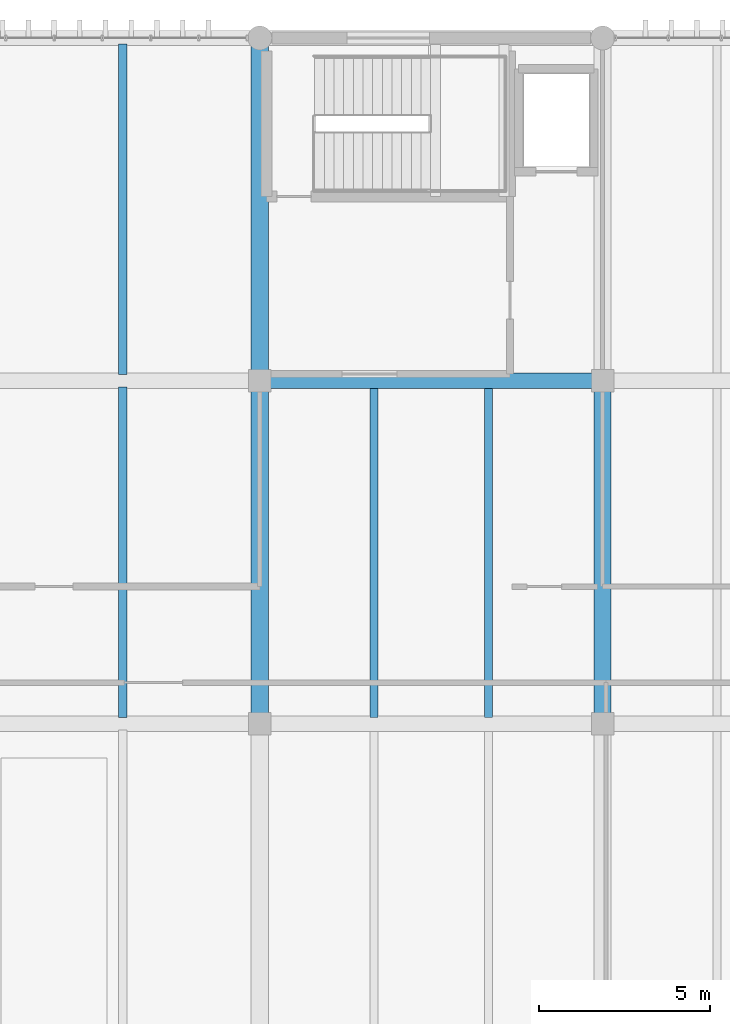
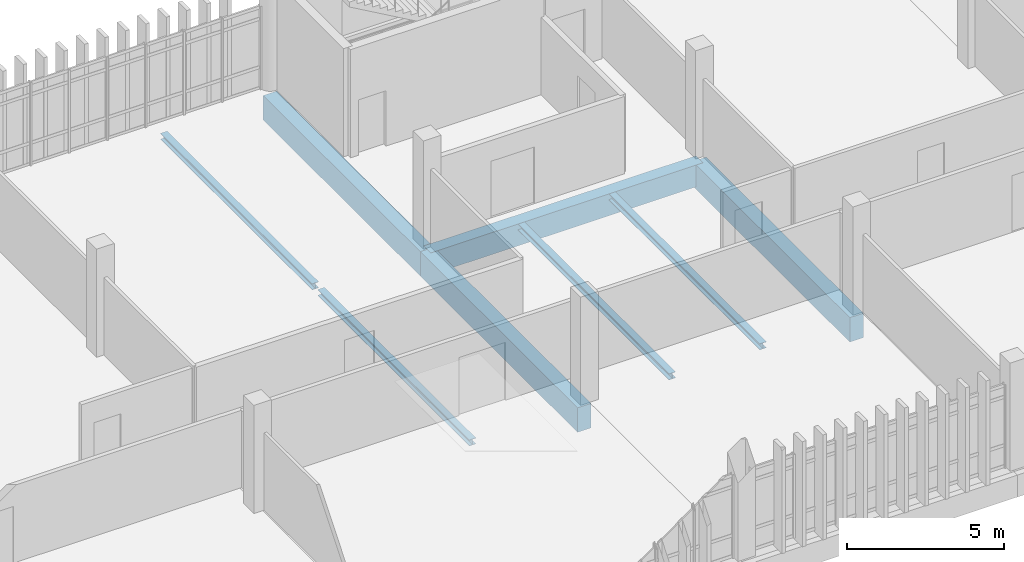
# One storey, part 34 of 82: 8 beams.
"""IFC4 building model written with IfcOpenShell, lengths in metres."""

import ifcopenshell
import ifcopenshell.guid

model = None  # the IFC model being written
_history = None  # IfcOwnerHistory: only IFC2X3 demands one
_inside = {}  # id of a spatial element -> (the spatial element, [elements in it])
_under = {}  # id of a project, library or spatial element -> (it, [spatial elements below it])
_declared = {}  # id of a project -> (the project, [libraries it declares])
_typed = {}  # id of a type object -> (the type object, [elements of that type])
_made_of = {}  # id of a material, layer set ... -> (it, [elements and type objects made of it])


def new_model(schema):
    """Start an empty IFC model of exactly this schema.

    Asked for "IFC4X3", IfcOpenShell would pick the latest addendum, in which some entities
    have other attributes; the version numbers below select the first issue.
    IFC2X3 requires an IfcOwnerHistory on every rooted entity: one is made here for all.
    """
    global model, _history
    if schema == "IFC4X3":
        model = ifcopenshell.file(schema_version=(4, 3, 0, 0))
    else:
        model = ifcopenshell.file(schema=schema)
    _inside.clear()
    _under.clear()
    _declared.clear()
    _typed.clear()
    _made_of.clear()
    _history = None
    if model.schema == "IFC2X3":
        org = make("IfcOrganization", Name="unknown")
        user = make(
            "IfcPersonAndOrganization",
            ThePerson=make("IfcPerson", FamilyName="unknown"),
            TheOrganization=org,
        )
        app = make(
            "IfcApplication",
            ApplicationDeveloper=org,
            Version="unknown",
            ApplicationFullName="unknown",
            ApplicationIdentifier="unknown",
        )
        _history = make(
            "IfcOwnerHistory",
            OwningUser=user,
            OwningApplication=app,
            ChangeAction="ADDED",
            CreationDate=0,
        )
    return model


def make(cls, **values):
    """One entity of the class cls with the attributes given. An attribute that is None is left unset."""
    return model.create_entity(
        cls, **{name: value for name, value in values.items() if value is not None}
    )


def rooted(cls, **values):
    """An entity with a GlobalId (a new one), such as an element, a storey or a relation."""
    return make(cls, GlobalId=ifcopenshell.guid.new(), OwnerHistory=_history, **values)


def si_unit(unit_type, name, prefix=None):
    """IfcSIUnit, for example si_unit("LENGTHUNIT", "METRE", prefix="MILLI")."""
    return make("IfcSIUnit", UnitType=unit_type, Prefix=prefix, Name=name)


def assignment(units):
    """IfcUnitAssignment: the units of a project."""
    return None if units is None else make("IfcUnitAssignment", Units=units)


def point(xyz):
    """IfcCartesianPoint."""
    return None if xyz is None else make("IfcCartesianPoint", Coordinates=xyz)


def direction(xyz):
    """IfcDirection."""
    return None if xyz is None else make("IfcDirection", DirectionRatios=xyz)


def frame(location, z_axis=None, x_axis=None):
    """IfcAxis2Placement3D, a coordinate frame: its origin and axes. An axis left out is left unset."""
    return make(
        "IfcAxis2Placement3D",
        Location=point(location),
        Axis=direction(z_axis),
        RefDirection=direction(x_axis),
    )


def frame_2d(location, x_axis=None):
    """IfcAxis2Placement2D, a coordinate frame in the plane: its origin and x axis."""
    return make(
        "IfcAxis2Placement2D", Location=point(location), RefDirection=direction(x_axis)
    )


def origin():
    """The frame at (0, 0, 0) with its axes left unset."""
    return frame((0.0, 0.0, 0.0))


def origin_2d():
    """The frame at (0, 0) in the plane with its x axis left unset."""
    return frame_2d((0.0, 0.0))


def place(relative_to, where):
    """IfcLocalPlacement: puts the frame where relative to a parent placement (None: the world)."""
    return make(
        "IfcLocalPlacement", PlacementRelTo=relative_to, RelativePlacement=where
    )


def context(
    kind, dimensions, precision=None, world=None, true_north=None, identifier=None
):
    """IfcGeometricRepresentationContext, for example the 3D "Model" context."""
    return make(
        "IfcGeometricRepresentationContext",
        ContextIdentifier=identifier,
        ContextType=kind,
        CoordinateSpaceDimension=dimensions,
        Precision=precision,
        WorldCoordinateSystem=world,
        TrueNorth=true_north,
    )


def subcontext(parent, identifier, kind, view, scale=None):
    """IfcGeometricRepresentationSubContext, for example "Body" below "Model"."""
    return make(
        "IfcGeometricRepresentationSubContext",
        ContextIdentifier=identifier,
        ContextType=kind,
        ParentContext=parent,
        TargetScale=scale,
        TargetView=view,
    )


def project(units=None, contexts=None):
    """IfcProject with its units and contexts."""
    return rooted(
        "IfcProject",
        Name="project",
        RepresentationContexts=contexts,
        UnitsInContext=assignment(units),
    )


def spatial(cls, under=None, at=None, **own):
    """A site, building, storey or space (cls), placed at a placement, below another one or the project."""
    s = rooted(cls, ObjectPlacement=at, **own)
    if under is not None:
        _under.setdefault(under.id(), (under, []))[1].append(s)
    return s


def profile(cls, at=None, kind="AREA", **sizes):
    """A parametric profile (cls). Its sizes go by their IFC names, for example OverallWidth=200.0."""
    return make(cls, ProfileType=kind, Position=at, **sizes)


def rectangle(**sizes):
    """IfcRectangleProfileDef."""
    return profile("IfcRectangleProfileDef", **sizes)


def i_section(**sizes):
    """IfcIShapeProfileDef."""
    return profile("IfcIShapeProfileDef", **sizes)


def extrude(swept, where, along, depth):
    """IfcExtrudedAreaSolid: the profile swept, set in the frame where, extruded along a direction by depth."""
    return make(
        "IfcExtrudedAreaSolid",
        SweptArea=swept,
        Position=where,
        ExtrudedDirection=direction(along),
        Depth=depth,
    )


def shape(context_of_items, identifier, shape_type, items):
    """IfcShapeRepresentation: the items that make up one representation, for example the "Body"."""
    return make(
        "IfcShapeRepresentation",
        ContextOfItems=context_of_items,
        RepresentationIdentifier=identifier,
        RepresentationType=shape_type,
        Items=items,
    )


def material(Name=None, Category=None):
    """IfcMaterial."""
    return make("IfcMaterial", Name=Name, Category=Category)


def material_profile(
    of_material, cross_section, Name=None, Category=None, Priority=None
):
    """IfcMaterialProfile: a cross section and its material."""
    return make(
        "IfcMaterialProfile",
        Name=Name,
        Material=of_material,
        Profile=cross_section,
        Priority=Priority,
        Category=Category,
    )


def profile_set(profiles, Name=None, composite=None):
    """IfcMaterialProfileSet."""
    return make(
        "IfcMaterialProfileSet",
        Name=Name,
        MaterialProfiles=profiles,
        CompositeProfile=composite,
    )


def made_of(thing, what):
    """Note that an element or type object is made of a material, layer set ...; save() writes the relation."""
    if what is not None:
        _made_of.setdefault(what.id(), (what, []))[1].append(thing)
    return thing


def type_object(cls, material=None, **own):
    """A type object (cls), such as IfcWallType, which elements share."""
    return made_of(rooted(cls, **own), material)


def element(
    cls,
    number,
    at=None,
    inside=None,
    cuts=None,
    type_object=None,
    material=None,
    context=None,
    identifier="Body",
    shape_type=None,
    held_by="IfcProductDefinitionShape",
    body=None,
    shapes=None,
    **own,
):
    """One element of the class cls, such as IfcWall. Its Tag is "e" and its number.

    at: its placement. inside: the storey or other place that contains it. cuts: it is an
    opening in that element (IfcRelVoidsElement). A single representation is given by context,
    identifier, shape_type and body (its items); several are given by shapes. held_by: the class
    of the entity that holds the representations. save() writes the other relations.
    """
    e = rooted(cls, Tag="e%d" % number, ObjectPlacement=at, **own)
    if body is not None:
        shapes = [shape(context, identifier, shape_type, body)]
    if shapes is not None:
        e.Representation = make(held_by, Representations=shapes)
    if inside is not None:
        _inside.setdefault(inside.id(), (inside, []))[1].append(e)
    if cuts is not None:
        rooted(
            "IfcRelVoidsElement", RelatingBuildingElement=cuts, RelatedOpeningElement=e
        )
    if type_object is not None:
        _typed.setdefault(type_object.id(), (type_object, []))[1].append(e)
    return made_of(e, material)


def aggregate(whole, parts):
    """IfcRelAggregates: a whole, such as a stair, and the parts it consists of."""
    return rooted("IfcRelAggregates", RelatingObject=whole, RelatedObjects=parts)


def save(model, path):
    """Write the relations noted so far, then the file.

    IfcRelAggregates (storeys below a building ...), IfcRelContainedInSpatialStructure (elements
    in a storey), IfcRelDefinesByType, IfcRelAssociatesMaterial and IfcRelDeclares: one each for
    every whole, place, type object, material and project.
    """
    for whole, parts in _under.values():
        aggregate(whole, parts)
    for where, things in _inside.values():
        rooted(
            "IfcRelContainedInSpatialStructure",
            RelatedElements=things,
            RelatingStructure=where,
        )
    for kind, things in _typed.values():
        rooted("IfcRelDefinesByType", RelatedObjects=things, RelatingType=kind)
    for what, things in _made_of.values():
        rooted("IfcRelAssociatesMaterial", RelatedObjects=things, RelatingMaterial=what)
    for by, libraries in _declared.values():
        rooted("IfcRelDeclares", RelatingContext=by, RelatedDefinitions=libraries)
    model.write(path)


model = new_model("IFC4")

# Units and contexts
model_context = context("Model", 3, precision=1e-05, world=origin(), true_north=direction((0.0, 1.0)))
body_context = subcontext(model_context, "Body", "Model", "MODEL_VIEW")
ifc_project = project(units=[si_unit("LENGTHUNIT", "METRE"), si_unit("AREAUNIT", "SQUARE_METRE"), si_unit("VOLUMEUNIT", "CUBIC_METRE"), si_unit("PLANEANGLEUNIT", "RADIAN"), si_unit("MASSUNIT", "GRAM", prefix="KILO")], contexts=[model_context])

# Site, building, storey
site_placement = place(None, origin())
site = spatial("IfcSite", under=ifc_project, at=site_placement, CompositionType="ELEMENT")
building_placement = place(site_placement, origin())
building = spatial("IfcBuilding", under=site, at=building_placement, Name="Mersad Railyard Sports Hall", CompositionType="ELEMENT")
storey_placement = place(building_placement, frame((0.0, 0.0, 13.199951171875)))
storey = spatial("IfcBuildingStorey", under=building, at=storey_placement, Name="L03", CompositionType="ELEMENT", Elevation=13.199951171875)

# Beams
ifc_material_1 = material(Name="Concrete C40/50", Category="concrete")
ifc_material_profile_1 = material_profile(ifc_material_1, rectangle(XDim=0.449951171875, YDim=0.85009765625, at=origin_2d()), Name="RC 450x850")
ifc_profile_set_1 = profile_set([ifc_material_profile_1], Name="Concrete C40/50")
beam_type_1 = type_object("IfcBeamType", Name="STR-BM-B02", PredefinedType="BEAM", material=ifc_profile_set_1)
beam_placement = place(storey_placement, frame((91.0, 105.0, -0.744873046875), z_axis=(1.0, 0.0, 0.0), x_axis=(0.0, 1.0, 0.0)))
element("IfcBeam", 1, at=beam_placement, inside=storey, type_object=beam_type_1, Name="Beam B02-1232", PredefinedType="BEAM", context=body_context, shape_type="SweptSolid", body=[
    extrude(rectangle(XDim=0.449951171875, YDim=0.85009765625, at=origin_2d()), origin(), (0.0, 0.0, 1.0), 10.0),
])
ifc_material_2 = material(Name="Concrete C50/60", Category="concrete")
ifc_material_profile_2 = material_profile(ifc_material_2, rectangle(XDim=0.5, YDim=0.949951171875, at=origin_2d()), Name="RC 500x950")
ifc_profile_set_2 = profile_set([ifc_material_profile_2], Name="Concrete C50/60")
beam_type_2 = type_object("IfcBeamType", Name="STR-BM-B03", PredefinedType="BEAM", material=ifc_profile_set_2)
for number, where, z_axis, x_axis, name in (
    (2, (91.0, 95.0, -0.794921875), (0.0, 1.0, 0.0), (-1.0, 0.0, 0.0), "Beam B03-1257"),
    (3, (91.0, 105.0, -0.794921875), (0.0, 1.0, 0.0), (-1.0, 0.0, 0.0), "Beam B03-1258"),
    (4, (101.0, 95.0, -0.794921875), (0.0, 1.0, 0.0), (-1.0, 0.0, 0.0), "Beam B03-1260"),
):
    element("IfcBeam", number, at=place(storey_placement, frame(where, z_axis=z_axis, x_axis=x_axis)), inside=storey, type_object=beam_type_2, Name=name, PredefinedType="BEAM", context=body_context, shape_type="SweptSolid", body=[
        extrude(rectangle(XDim=0.5, YDim=0.949951171875, at=origin_2d()), origin(), (0.0, 0.0, 1.0), 10.0),
    ])
ifc_material_3 = material(Name="Steel S355", Category="steel")
ifc_material_profile_3 = material_profile(ifc_material_3, i_section(OverallWidth=0.239990234375, OverallDepth=0.239990234375, WebThickness=0.010009765625, FlangeThickness=0.01708984375, at=origin_2d()), Name="HEB 240")
ifc_profile_set_3 = profile_set([ifc_material_profile_3], Name="Steel S355")
beam_type_3 = type_object("IfcBeamType", Name="STR-BM-SB04", PredefinedType="BEAM", material=ifc_profile_set_3)
for number, where, z_axis, x_axis, name in (
    (5, (87.0, 95.179931640625, -0.43994140625), (0.0, 1.0, 0.0), (-1.0, 0.0, 0.0), "Beam SB04-1291"),
    (6, (87.0, 105.179931640625, -0.43994140625), (0.0, 1.0, 0.0), (-1.0, 0.0, 0.0), "Beam SB04-1293"),
    (7, (94.3330078125, 95.179931640625, -0.43994140625), (0.0, 1.0, 0.0), (-1.0, 0.0, 0.0), "Beam SB04-1296"),
    (8, (97.6669921875, 95.179931640625, -0.43994140625), (0.0, 1.0, 0.0), (-1.0, 0.0, 0.0), "Beam SB04-1297"),
):
    element("IfcBeam", number, at=place(storey_placement, frame(where, z_axis=z_axis, x_axis=x_axis)), inside=storey, type_object=beam_type_3, Name=name, PredefinedType="BEAM", context=body_context, shape_type="SweptSolid", body=[
        extrude(i_section(OverallWidth=0.239990234375, OverallDepth=0.239990234375, WebThickness=0.010009765625, FlangeThickness=0.01708984375, at=origin_2d()), origin(), (0.0, 0.0, 1.0), 9.64013671875),
    ])

save(model, "model.ifc")
